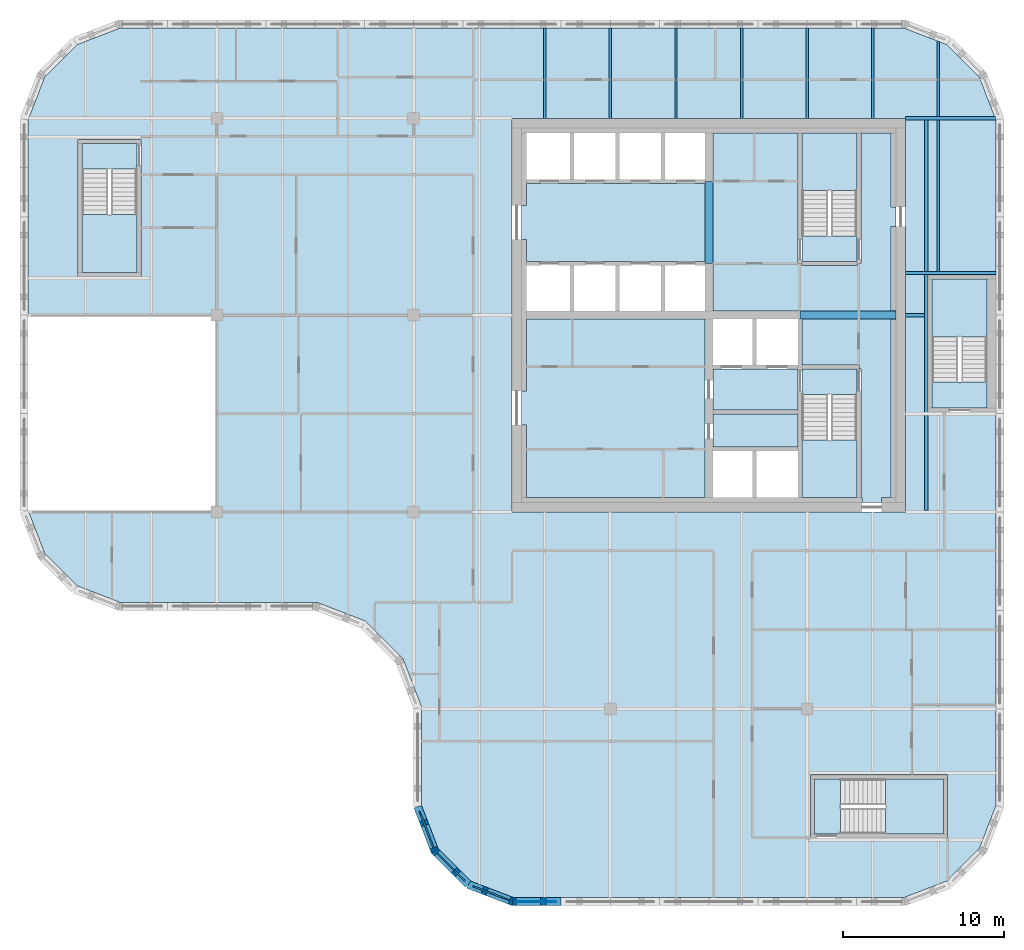
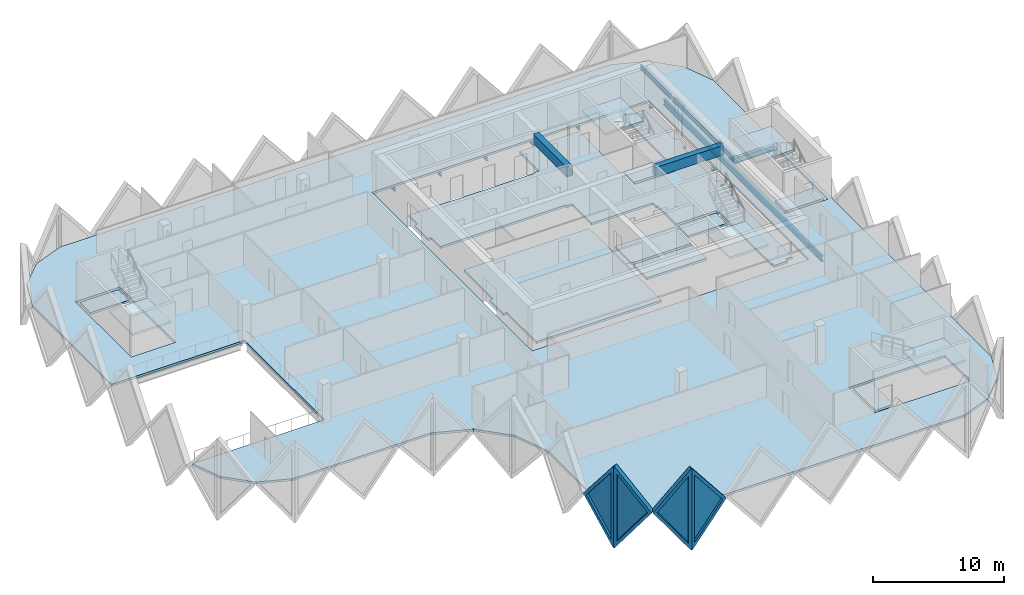
# One storey, part 2 of 12: 15 slabs, 14 beams, 4 plates, 4 walls, 4 openings, 5 elements without a shape of their own.
"""IFC4 building model written with IfcOpenShell, lengths in metres."""

from ifc_helpers import new_model, si_unit, direction, frame, origin, origin_2d, place, context, subcontext, project, spatial, polyline, rectangle, i_section, outline, extrude, faceted_brep, source, transform, mapped, material, layer, layer_set, material_profile, profile_set, type_object, element, fill, aggregate, save


model = new_model("IFC4")

# Units and contexts
model_context = context("Model", 3, precision=1e-05, world=origin(), true_north=direction((0.0, 1.0)))
body_context = subcontext(model_context, "Body", "Model", "MODEL_VIEW")
ifc_project = project(units=[si_unit("LENGTHUNIT", "METRE"), si_unit("AREAUNIT", "SQUARE_METRE"), si_unit("VOLUMEUNIT", "CUBIC_METRE"), si_unit("PLANEANGLEUNIT", "RADIAN"), si_unit("MASSUNIT", "GRAM", prefix="KILO")], contexts=[model_context])

# Site, building, storey
site_placement = place(None, origin())
site = spatial("IfcSite", under=ifc_project, at=site_placement, CompositionType="ELEMENT")
building_placement = place(site_placement, origin())
building = spatial("IfcBuilding", under=site, at=building_placement, Name="Tessera Gate Towers", CompositionType="ELEMENT")
storey_placement = place(building_placement, frame((0.0, 0.0, 185.800048828125)))
storey = spatial("IfcBuildingStorey", under=building, at=storey_placement, Name="L46", CompositionType="ELEMENT", Elevation=185.800048828125)

# Beams
ifc_material_1 = material(Name="Concrete C50/60", Category="concrete")
ifc_material_profile_1 = material_profile(ifc_material_1, rectangle(XDim=0.5, YDim=0.89990234375, at=origin_2d()), Name="RC 500x900")
ifc_profile_set_1 = profile_set([ifc_material_profile_1], Name="Concrete C50/60")
beam_type_1 = type_object("IfcBeamType", Name="COUPLING BEAM 500x900 C50/60", PredefinedType="BEAM", material=ifc_profile_set_1)
beam_1_placement = place(storey_placement, frame((48.35009765625, 36.60009765625, 3.14990234375), z_axis=(1.0, 0.0, 0.0), x_axis=(0.0, 1.0, 0.0)))
element("IfcBeam", 1, at=beam_1_placement, inside=storey, type_object=beam_type_1, Name="L46 coupling beam 1", PredefinedType="BEAM", context=body_context, shape_type="SweptSolid", body=[
    extrude(rectangle(XDim=0.5, YDim=0.89990234375, at=origin_2d()), origin(), (0.0, 0.0, 1.0), 5.949951171875),
])
beam_2_placement = place(storey_placement, frame((42.699951171875, 39.800048828125, 3.14990234375), z_axis=(0.0, 1.0, 0.0), x_axis=(-1.0, 0.0, 0.0)))
element("IfcBeam", 2, at=beam_2_placement, inside=storey, type_object=beam_type_1, Name="L46 coupling beam 2", PredefinedType="BEAM", context=body_context, shape_type="SweptSolid", body=[
    extrude(rectangle(XDim=0.5, YDim=0.89990234375, at=origin_2d()), origin(), (0.0, 0.0, 1.0), 5.099853515625),
])
ifc_material_2 = material(Name="Steel 350W", Category="steel")
ifc_material_profile_2 = material_profile(ifc_material_2, i_section(OverallWidth=0.208984375, OverallDepth=0.532958984375, WebThickness=0.01025390625, FlangeThickness=0.015625, at=origin_2d()), Name="W530x92")
ifc_profile_set_2 = profile_set([ifc_material_profile_2], Name="Steel 350W")
beam_type_2 = type_object("IfcBeamType", Name="FLOOR GIRDER W530x92", PredefinedType="BEAM", material=ifc_profile_set_2)
beam_3_placement = place(storey_placement, frame((54.89892578125, 36.60009765625, -0.466552734375), z_axis=(1.0, 0.0, 0.0), x_axis=(0.0, 1.0, 0.0)))
element("IfcBeam", 3, at=beam_3_placement, inside=storey, type_object=beam_type_2, Name="T1-GD-L46-4970", PredefinedType="BEAM", context=body_context, shape_type="SweptSolid", body=[
    extrude(i_section(OverallWidth=0.208984375, OverallDepth=0.532958984375, WebThickness=0.01025390625, FlangeThickness=0.015625, at=origin_2d()), origin(), (0.0, 0.0, 1.0), 1.176513671875),
])
beam_4_placement = place(storey_placement, frame((54.90087890625, 48.800048828125, -0.466552734375), z_axis=(1.0, 0.0, 0.0), x_axis=(0.0, 1.0, 0.0)))
element("IfcBeam", 4, at=beam_4_placement, inside=storey, type_object=beam_type_2, Name="T1-GD-L46-4974", PredefinedType="BEAM", context=body_context, shape_type="SweptSolid", body=[
    extrude(i_section(OverallWidth=0.208984375, OverallDepth=0.532958984375, WebThickness=0.01025390625, FlangeThickness=0.015625, at=origin_2d()), origin(), (0.0, 0.0, 1.0), 5.564208984375),
])
beam_5_placement = place(storey_placement, frame((54.89892578125, 39.219970703125, -0.466552734375), z_axis=(1.0, 0.0, 0.0), x_axis=(0.0, 1.0, 0.0)))
element("IfcBeam", 5, at=beam_5_placement, inside=storey, type_object=beam_type_2, Name="T1-GD-L46-4992", PredefinedType="BEAM", context=body_context, shape_type="SweptSolid", body=[
    extrude(i_section(OverallWidth=0.208984375, OverallDepth=0.532958984375, WebThickness=0.01025390625, FlangeThickness=0.015625, at=origin_2d()), origin(), (0.0, 0.0, 1.0), 5.60205078125),
])
beam_6_placement = place(storey_placement, frame((56.179931640625, 24.50439453125, -0.466552734375), z_axis=(0.0, 1.0, 0.0), x_axis=(-1.0, 0.0, 0.0)))
element("IfcBeam", 6, at=beam_6_placement, inside=storey, type_object=beam_type_2, Name="T1-GD-L46-4993", PredefinedType="BEAM", context=body_context, shape_type="SweptSolid", body=[
    extrude(i_section(OverallWidth=0.208984375, OverallDepth=0.532958984375, WebThickness=0.01025390625, FlangeThickness=0.015625, at=origin_2d()), origin(), (0.0, 0.0, 1.0), 24.191162109375),
])
ifc_material_3 = material(Name="Steel 350W", Category="steel")
ifc_material_profile_3 = material_profile(ifc_material_3, i_section(OverallWidth=0.153076171875, OverallDepth=0.455078125, WebThickness=0.008056640625, FlangeThickness=0.01318359375, at=origin_2d()), Name="W460x60")
ifc_profile_set_3 = profile_set([ifc_material_profile_3], Name="Steel 350W")
beam_type_3 = type_object("IfcBeamType", Name="FLOOR SECONDARY W460x60", PredefinedType="BEAM", material=ifc_profile_set_3)
for number, where, z_axis, x_axis, name in (
    (7, (32.533203125, 48.800048828125, -0.427490234375), (0.0, 1.0, 0.0), (-1.0, 0.0, 0.0), "T1-BM-L46-5015"),
    (8, (36.60009765625, 48.800048828125, -0.427490234375), (0.0, 1.0, 0.0), (-1.0, 0.0, 0.0), "T1-BM-L46-5016"),
    (9, (40.666748046875, 48.800048828125, -0.427490234375), (0.0, 1.0, 0.0), (-1.0, 0.0, 0.0), "T1-BM-L46-5019"),
    (10, (44.7333984375, 48.800048828125, -0.427490234375), (0.0, 1.0, 0.0), (-1.0, 0.0, 0.0), "T1-BM-L46-5022"),
    (11, (48.800048828125, 48.800048828125, -0.427490234375), (0.0, 1.0, 0.0), (-1.0, 0.0, 0.0), "T1-BM-L46-5023"),
    (12, (52.86669921875, 48.800048828125, -0.427490234375), (0.0, 1.0, 0.0), (-1.0, 0.0, 0.0), "T1-BM-L46-5027"),
):
    element("IfcBeam", number, at=place(storey_placement, frame(where, z_axis=z_axis, x_axis=x_axis)), inside=storey, type_object=beam_type_3, Name=name, PredefinedType="BEAM", context=body_context, shape_type="SweptSolid", body=[
        extrude(i_section(OverallWidth=0.153076171875, OverallDepth=0.455078125, WebThickness=0.008056640625, FlangeThickness=0.01318359375, at=origin_2d()), origin(), (0.0, 0.0, 1.0), 5.599853515625),
    ])
beam_7_placement = place(storey_placement, frame((56.933349609375, 39.324462890625, -0.427490234375), z_axis=(0.0, 1.0, 0.0), x_axis=(-1.0, 0.0, 0.0)))
element("IfcBeam", 13, at=beam_7_placement, inside=storey, type_object=beam_type_3, Name="T1-BM-L46-5032", PredefinedType="BEAM", context=body_context, shape_type="SweptSolid", body=[
    extrude(i_section(OverallWidth=0.153076171875, OverallDepth=0.455078125, WebThickness=0.008056640625, FlangeThickness=0.01318359375, at=origin_2d()), origin(), (0.0, 0.0, 1.0), 9.37109375),
])
beam_8_placement = place(storey_placement, frame((56.933349609375, 48.904541015625, -0.427490234375), z_axis=(0.0, 1.0, 0.0), x_axis=(-1.0, 0.0, 0.0)))
element("IfcBeam", 14, at=beam_8_placement, inside=storey, type_object=beam_type_3, Name="T1-BM-L46-5033", PredefinedType="BEAM", context=body_context, shape_type="SweptSolid", body=[
    extrude(i_section(OverallWidth=0.153076171875, OverallDepth=0.455078125, WebThickness=0.008056640625, FlangeThickness=0.01318359375, at=origin_2d()), origin(), (0.0, 0.0, 1.0), 4.675048828125),
])

# Slabs
ifc_material_4 = material(Name="Concrete C35/45", Category="concrete")
ifc_layer_1 = layer(ifc_material_4, 0.199951171875)
ifc_layer_set_1 = layer_set([ifc_layer_1], Name="COMPOSITE FLOOR 200")
slab_type_1 = type_object("IfcSlabType", Name="COMPOSITE FLOOR 200", PredefinedType="FLOOR", material=ifc_layer_set_1)
slab_1_placement = place(storey_placement, frame((0.0, 0.0, -0.199951171875)))
element("IfcSlab", 15, at=slab_1_placement, inside=storey, type_object=slab_type_1, Name="T1-L46", PredefinedType="FLOOR", context=body_context, shape_type="SweptSolid", body=[
    extrude(outline(polyline([(0.5, 36.60009765625), (12.199951171875, 36.60009765625), (12.199951171875, 24.39990234375), (0.535888671875, 24.39990234375), (1.526123046875, 21.8330078125), (3.533203125, 19.826171875), (6.193115234375, 18.800048828125), (18.39306640625, 18.800048828125), (21.42431640625, 17.630615234375), (23.730712890625, 15.32421875), (24.89990234375, 12.293212890625), (24.89990234375, 6.193115234375), (25.926025390625, 3.533203125), (27.93310546875, 1.526123046875), (30.593017578125, 0.5), (54.806884765625, 0.5), (57.466796875, 1.526123046875), (59.473876953125, 3.533203125), (60.5, 6.193115234375), (60.5, 48.706787109375), (59.473876953125, 51.366943359375), (57.466796875, 53.373779296875), (54.806884765625, 54.39990234375), (6.193115234375, 54.39990234375), (3.533203125, 53.373779296875), (1.526123046875, 51.366943359375), (0.5, 48.706787109375), (0.5, 36.60009765625)]), holes=[polyline([(3.60009765625, 39.0), (3.60009765625, 47.5), (7.5, 47.5), (7.5, 39.0), (3.60009765625, 39.0)]), polyline([(30.5, 24.39990234375), (30.5, 48.800048828125), (54.89990234375, 48.800048828125), (54.89990234375, 24.39990234375), (30.5, 24.39990234375)]), polyline([(49.0, 4.199951171875), (49.0, 8.10009765625), (57.5, 8.10009765625), (57.5, 4.199951171875), (49.0, 4.199951171875)]), polyline([(56.300048828125, 30.60009765625), (56.300048828125, 39.10009765625), (60.199951171875, 39.10009765625), (60.199951171875, 30.60009765625), (56.300048828125, 30.60009765625)])]), origin(), (0.0, 0.0, 1.0), 0.199951171875),
])
ifc_material_5 = material(Name="Concrete C35/45", Category="concrete")
ifc_layer_2 = layer(ifc_material_5, 0.199951171875)
ifc_layer_set_2 = layer_set([ifc_layer_2], Name="CORE FLOOR SLAB 200")
slab_type_2 = type_object("IfcSlabType", Name="CORE FLOOR SLAB 200", PredefinedType="FLOOR", material=ifc_layer_set_2)
slab_2_placement = place(storey_placement, frame((0.0, 0.0, -0.199951171875)))
element("IfcSlab", 16, at=slab_2_placement, inside=storey, type_object=slab_type_2, Name="L46 core floor slab", PredefinedType="FLOOR", context=body_context, shape_type="SweptSolid", body=[
    extrude(outline(polyline([(42.449951171875, 44.89990234375), (42.449951171875, 44.77490234375), (31.39990234375, 44.77490234375), (31.39990234375, 43.39990234375), (31.10009765625, 43.39990234375), (31.10009765625, 41.300048828125), (31.39990234375, 41.300048828125), (31.39990234375, 39.925048828125), (42.449951171875, 39.925048828125), (42.449951171875, 39.800048828125), (42.949951171875, 39.800048828125), (42.949951171875, 36.85009765625), (48.35009765625, 36.85009765625), (48.35009765625, 36.35009765625), (48.47509765625, 36.35009765625), (48.47509765625, 33.52490234375), (52.0, 33.52490234375), (52.0, 33.27490234375), (52.125, 33.27490234375), (52.125, 25.300048828125), (52.199951171875, 25.300048828125), (52.199951171875, 25.0), (53.39990234375, 25.0), (53.39990234375, 25.300048828125), (54.0, 25.300048828125), (54.0, 36.320068359375), (54.300048828125, 36.320068359375), (54.300048828125, 36.8798828125), (54.0, 36.8798828125), (54.0, 42.10009765625), (54.300048828125, 42.10009765625), (54.300048828125, 43.300048828125), (54.0, 43.300048828125), (54.0, 47.89990234375), (52.125, 47.89990234375), (52.125, 39.800048828125), (51.875, 39.800048828125), (51.875, 39.675048828125), (48.47509765625, 39.675048828125), (48.47509765625, 39.800048828125), (48.22509765625, 39.800048828125), (48.22509765625, 47.89990234375), (42.949951171875, 47.89990234375), (42.949951171875, 44.89990234375), (42.449951171875, 44.89990234375)])), origin(), (0.0, 0.0, 1.0), 0.199951171875),
])
slab_3_placement = place(storey_placement, frame((0.0, 0.0, -0.199951171875)))
element("IfcSlab", 17, at=slab_3_placement, inside=storey, type_object=slab_type_2, Name="L46 core floor slab", PredefinedType="FLOOR", context=body_context, shape_type="SweptSolid", body=[
    extrude(outline(polyline([(31.39990234375, 36.35009765625), (31.39990234375, 31.89990234375), (31.10009765625, 31.89990234375), (31.10009765625, 29.800048828125), (31.39990234375, 29.800048828125), (31.39990234375, 25.300048828125), (42.449951171875, 25.300048828125), (42.449951171875, 36.35009765625), (31.39990234375, 36.35009765625)])), origin(), (0.0, 0.0, 1.0), 0.199951171875),
])
slab_4_placement = place(storey_placement, frame((0.0, 0.0, -0.199951171875)))
element("IfcSlab", 18, at=slab_4_placement, inside=storey, type_object=slab_type_2, Name="L46 core floor slab", PredefinedType="FLOOR", context=body_context, shape_type="SweptSolid", body=[
    extrude(outline(polyline([(42.949951171875, 33.27490234375), (42.949951171875, 30.72509765625), (48.22509765625, 30.72509765625), (48.22509765625, 33.27490234375), (42.949951171875, 33.27490234375)])), origin(), (0.0, 0.0, 1.0), 0.199951171875),
])
slab_5_placement = place(storey_placement, frame((0.0, 0.0, -0.199951171875)))
element("IfcSlab", 19, at=slab_5_placement, inside=storey, type_object=slab_type_2, Name="L46 core floor slab", PredefinedType="FLOOR", context=body_context, shape_type="SweptSolid", body=[
    extrude(outline(polyline([(48.22509765625, 30.47509765625), (42.949951171875, 30.47509765625), (42.949951171875, 28.425048828125), (48.22509765625, 28.425048828125), (48.22509765625, 30.47509765625)])), origin(), (0.0, 0.0, 1.0), 0.199951171875),
])
slab_6_placement = place(storey_placement, frame((0.0, 0.0, -0.199951171875)))
element("IfcSlab", 20, at=slab_6_placement, inside=storey, type_object=slab_type_2, Name="L46 core floor slab", PredefinedType="FLOOR", context=body_context, shape_type="SweptSolid", body=[
    extrude(outline(polyline([(51.875, 31.675048828125), (51.875, 33.27490234375), (48.47509765625, 33.27490234375), (48.47509765625, 31.675048828125), (51.875, 31.675048828125)])), origin(), (0.0, 0.0, 1.0), 0.199951171875),
])
slab_7_placement = place(storey_placement, frame((0.0, 0.0, -0.199951171875)))
element("IfcSlab", 21, at=slab_7_placement, inside=storey, type_object=slab_type_2, Name="L46 core floor slab", PredefinedType="FLOOR", context=body_context, shape_type="SweptSolid", body=[
    extrude(outline(polyline([(48.47509765625, 41.52490234375), (48.47509765625, 39.925048828125), (51.875, 39.925048828125), (51.875, 41.52490234375), (48.47509765625, 41.52490234375)])), origin(), (0.0, 0.0, 1.0), 0.199951171875),
])
slab_8_placement = place(storey_placement, frame((0.0, 0.0, -0.199951171875)))
element("IfcSlab", 22, at=slab_8_placement, inside=storey, type_object=slab_type_2, Name="L46 ST3 floor landing", PredefinedType="FLOOR", context=body_context, shape_type="SweptSolid", body=[
    extrude(outline(polyline([(3.85009765625, 47.25), (3.85009765625, 45.64990234375), (7.25, 45.64990234375), (7.25, 47.25), (3.85009765625, 47.25)])), origin(), (0.0, 0.0, 1.0), 0.199951171875),
])
slab_9_placement = place(storey_placement, frame((0.0, 0.0, -0.199951171875)))
element("IfcSlab", 23, at=slab_9_placement, inside=storey, type_object=slab_type_2, Name="L46 ST4 floor landing", PredefinedType="FLOOR", context=body_context, shape_type="SweptSolid", body=[
    extrude(outline(polyline([(49.25, 4.449951171875), (50.85009765625, 4.449951171875), (50.85009765625, 7.85009765625), (49.25, 7.85009765625), (49.25, 4.449951171875)])), origin(), (0.0, 0.0, 1.0), 0.199951171875),
])
slab_10_placement = place(storey_placement, frame((0.0, 0.0, -0.199951171875)))
element("IfcSlab", 24, at=slab_10_placement, inside=storey, type_object=slab_type_2, Name="L46 ST5 floor landing", PredefinedType="FLOOR", context=body_context, shape_type="SweptSolid", body=[
    extrude(outline(polyline([(59.949951171875, 30.85009765625), (59.949951171875, 32.449951171875), (56.550048828125, 32.449951171875), (56.550048828125, 30.85009765625), (59.949951171875, 30.85009765625)])), origin(), (0.0, 0.0, 1.0), 0.199951171875),
])

# Stair, slab
ifc_material_6 = material(Name="Concrete C40/50", Category="concrete")
stair_type_1 = type_object("IfcStairType", Name="EXIT STAIR ST1 1600", PredefinedType="HALF_TURN_STAIR", material=ifc_material_6)
stair_1_placement = place(storey_placement, origin())
stair_1 = element("IfcStair", 25, at=stair_1_placement, inside=storey, type_object=stair_type_1, Name="L46 Protected Exit Stair ST1", PredefinedType="HALF_TURN_STAIR")
ifc_material_7 = material(Name="Concrete C40/50", Category="concrete")
ifc_layer_3 = layer(ifc_material_7, 0.199951171875)
ifc_layer_set_3 = layer_set([ifc_layer_3], Name="EXIT STAIR LANDING 200")
slab_type_3 = type_object("IfcSlabType", Name="EXIT STAIR LANDING 200", PredefinedType="LANDING", material=ifc_layer_set_3)
slab_11_placement = place(storey_placement, frame((0.0, 0.0, 1.699951171875)))
slab_11 = element("IfcSlab", 26, at=slab_11_placement, type_object=slab_type_3, Name="ST1 landing 1", PredefinedType="LANDING", context=body_context, shape_type="SweptSolid", body=[
    extrude(outline(polyline([(48.47509765625, 28.875), (48.47509765625, 25.300048828125), (51.875, 25.300048828125), (51.875, 28.875), (48.47509765625, 28.875)])), origin(), (0.0, 0.0, 1.0), 0.199951171875),
])
aggregate(stair_1, [slab_11])

ifc_material_8 = material(Name="Concrete C40/50", Category="concrete")
stair_type_2 = type_object("IfcStairType", Name="EXIT STAIR ST2 1600", PredefinedType="HALF_TURN_STAIR", material=ifc_material_8)
stair_2_placement = place(storey_placement, origin())
stair_2 = element("IfcStair", 27, at=stair_2_placement, inside=storey, type_object=stair_type_2, Name="L46 Protected Exit Stair ST2", PredefinedType="HALF_TURN_STAIR")
slab_12_placement = place(storey_placement, frame((0.0, 0.0, 1.699951171875)))
slab_12 = element("IfcSlab", 28, at=slab_12_placement, type_object=slab_type_3, Name="ST2 landing 1", PredefinedType="LANDING", context=body_context, shape_type="SweptSolid", body=[
    extrude(outline(polyline([(51.875, 44.324951171875), (51.875, 47.89990234375), (48.47509765625, 47.89990234375), (48.47509765625, 44.324951171875), (51.875, 44.324951171875)])), origin(), (0.0, 0.0, 1.0), 0.199951171875),
])
aggregate(stair_2, [slab_12])

ifc_material_9 = material(Name="Concrete C40/50", Category="concrete")
stair_type_3 = type_object("IfcStairType", Name="EXIT STAIR ST3 1600", PredefinedType="HALF_TURN_STAIR", material=ifc_material_9)
stair_3_placement = place(storey_placement, origin())
stair_3 = element("IfcStair", 29, at=stair_3_placement, inside=storey, type_object=stair_type_3, Name="L46 West Exit Stair ST3", PredefinedType="HALF_TURN_STAIR")
slab_13_placement = place(storey_placement, frame((0.0, 0.0, 1.699951171875)))
slab_13 = element("IfcSlab", 30, at=slab_13_placement, type_object=slab_type_3, Name="ST3 landing 1", PredefinedType="LANDING", context=body_context, shape_type="SweptSolid", body=[
    extrude(outline(polyline([(3.85009765625, 42.85009765625), (3.85009765625, 39.25), (7.25, 39.25), (7.25, 42.85009765625), (3.85009765625, 42.85009765625)])), origin(), (0.0, 0.0, 1.0), 0.199951171875),
])
aggregate(stair_3, [slab_13])

ifc_material_10 = material(Name="Concrete C40/50", Category="concrete")
stair_type_4 = type_object("IfcStairType", Name="EXIT STAIR ST4 1600", PredefinedType="HALF_TURN_STAIR", material=ifc_material_10)
stair_4_placement = place(storey_placement, origin())
stair_4 = element("IfcStair", 31, at=stair_4_placement, inside=storey, type_object=stair_type_4, Name="L46 South Exit Stair ST4", PredefinedType="HALF_TURN_STAIR")
slab_14_placement = place(storey_placement, frame((0.0, 0.0, 1.699951171875)))
slab_14 = element("IfcSlab", 32, at=slab_14_placement, type_object=slab_type_3, Name="ST4 landing 1", PredefinedType="LANDING", context=body_context, shape_type="SweptSolid", body=[
    extrude(outline(polyline([(53.64990234375, 4.449951171875), (57.25, 4.449951171875), (57.25, 7.85009765625), (53.64990234375, 7.85009765625), (53.64990234375, 4.449951171875)])), origin(), (0.0, 0.0, 1.0), 0.199951171875),
])
aggregate(stair_4, [slab_14])

ifc_material_11 = material(Name="Concrete C40/50", Category="concrete")
stair_type_5 = type_object("IfcStairType", Name="EXIT STAIR ST5 1600", PredefinedType="HALF_TURN_STAIR", material=ifc_material_11)
stair_5_placement = place(storey_placement, origin())
stair_5 = element("IfcStair", 33, at=stair_5_placement, inside=storey, type_object=stair_type_5, Name="L46 East Exit Stair ST5", PredefinedType="HALF_TURN_STAIR")
slab_15_placement = place(storey_placement, frame((0.0, 0.0, 1.699951171875)))
slab_15 = element("IfcSlab", 34, at=slab_15_placement, type_object=slab_type_3, Name="ST5 landing 1", PredefinedType="LANDING", context=body_context, shape_type="SweptSolid", body=[
    extrude(outline(polyline([(59.949951171875, 35.25), (59.949951171875, 38.85009765625), (56.550048828125, 38.85009765625), (56.550048828125, 35.25), (59.949951171875, 35.25)])), origin(), (0.0, 0.0, 1.0), 0.199951171875),
])
aggregate(stair_5, [slab_15])

# Wall, opening, plate
ifc_material_12 = material(Name="Precast concrete C60/75 white", Category="concrete")
ifc_layer_4 = layer(ifc_material_12, 0.5)
ifc_layer_set_4 = layer_set([ifc_layer_4], Name="TS3 corner tessera")
wall_type = type_object("IfcWallType", Name="TS3 corner tessera", PredefinedType="SOLIDWALL", material=ifc_layer_set_4)
shared_shape_1 = source(origin(), body_context, "Body", "Brep", [
    faceted_brep([(2.950439453125, -0.25, 0.0), (3.00341796875, -0.25, 0.068359375), (3.00341796875, -0.25, 7.53173828125), (2.950439453125, -0.25, 7.60009765625), (0.0, -0.25, 3.800048828125), (0.046630859375, 0.25, 3.860107421875), (2.897705078125, 0.25, 7.531982421875), (2.897705078125, 0.25, 0.068115234375), (0.046630859375, 0.25, 3.739990234375), (2.950439453125, 0.00048828125, 0.0), (2.950439453125, 0.00048828125, 7.60009765625), (0.0, 0.0, 3.800048828125)], [[[0, 1, 2, 3, 4]], [[5, 6, 7, 8]], [[1, 0, 9]], [[10, 3, 2]], [[6, 5, 11, 4, 3, 10]], [[8, 7, 9, 0, 4, 11]], [[8, 11, 5]], [[1, 9, 7, 6, 10, 2]]]),
])
wall_1_placement = place(storey_placement, frame((24.64990234375, 6.146484375, -3.800048828125), z_axis=(0.0, 0.0, 1.0), x_axis=(0.359953949349, -0.932970071518, 0.0)))
wall_1 = element("IfcWall", 35, at=wall_1_placement, inside=storey, type_object=wall_type, Name="Precast corner tessera T1 TS3-1079", PredefinedType="SOLIDWALL", context=body_context, shape_type="MappedRepresentation", body=[
    mapped(shared_shape_1, transform((0.0, 0.0, 0.0), scale=1.0)),
])
shared_shape_2 = source(origin(), body_context, "Body", "SweptSolid", [
    extrude(outline(polyline([(2.75048828125, 6.934814453125), (0.31640625, 3.800048828125), (2.75048828125, 0.665283203125), (2.75048828125, 6.934814453125)])), frame((0.0, 0.260009765625, 0.0), z_axis=(0.0, -1.0, 0.0), x_axis=(1.0, 0.0, 0.0)), (0.0, 0.0, 1.0), 0.52001953125),
])
opening_1_placement = place(wall_1_placement, origin())
opening_1 = element("IfcOpeningElement", 36, at=opening_1_placement, cuts=wall_1, Name="Opening T1-PL2-1690", PredefinedType="OPENING", context=body_context, shape_type="MappedRepresentation", body=[
    mapped(shared_shape_2, transform((0.0, 0.0, 0.0), scale=1.0)),
])
ifc_material_13 = material(Name="Low-e laminated glass", Category="glass")
ifc_layer_5 = layer(ifc_material_13, 0.06005859375)
ifc_layer_set_5 = layer_set([ifc_layer_5], Name="PL2 rhombic pane")
plate_type = type_object("IfcPlateType", Name="PL2 rhombic pane", PredefinedType="SHEET", material=ifc_layer_set_5)
shared_shape_3 = source(origin(), body_context, "Body", "SweptSolid", [
    extrude(outline(polyline([(2.75048828125, 6.934814453125), (0.31640625, 3.800048828125), (2.75048828125, 0.665283203125), (2.75048828125, 6.934814453125)])), frame((0.0, 0.030029296875, 0.0), z_axis=(0.0, -1.0, 0.0), x_axis=(1.0, 0.0, 0.0)), (0.0, 0.0, 1.0), 0.06005859375),
])
plate_1_placement = place(opening_1_placement, origin())
plate_1 = element("IfcPlate", 37, at=plate_1_placement, inside=storey, type_object=plate_type, Name="Glass pane T1 PL2-1690", PredefinedType="SHEET", context=body_context, shape_type="MappedRepresentation", body=[
    mapped(shared_shape_3, transform((0.0, 0.0, 0.0), scale=1.0)),
])
fill(opening_1, plate_1)

shared_shape_4 = source(origin(), body_context, "Body", "Brep", [
    faceted_brep([(0.046630859375, -0.25, 0.0), (3.050048828125, -0.25, 3.800048828125), (0.046630859375, -0.25, 7.60009765625), (0.0, -0.25, 7.5400390625), (0.0, -0.25, 0.06005859375), (0.09326171875, 0.25, 7.541259765625), (3.050048828125, 0.25, 3.800048828125), (0.09326171875, 0.25, 0.058837890625), (0.046630859375, 0.0, 0.0), (0.046630859375, 0.0, 7.60009765625)], [[[0, 1, 2, 3, 4]], [[5, 6, 7]], [[7, 6, 1, 0, 8]], [[6, 5, 9, 2, 1]], [[3, 2, 9]], [[8, 0, 4]], [[7, 8, 4, 3, 9, 5]]]),
])
wall_2_placement = place(storey_placement, frame((30.5, 0.25, -3.800048828125), z_axis=(0.0, 0.0, 1.0), x_axis=(1.0, 0.0, 0.0)))
wall_2 = element("IfcWall", 38, at=wall_2_placement, inside=storey, type_object=wall_type, Name="Precast corner tessera T1 TS3-1057", PredefinedType="SOLIDWALL", context=body_context, shape_type="MappedRepresentation", body=[
    mapped(shared_shape_4, transform((0.0, 0.0, 0.0), scale=1.0)),
])
shared_shape_5 = source(origin(), body_context, "Body", "SweptSolid", [
    extrude(outline(polyline([(0.24658203125, 0.65625), (2.7314453125, 3.800048828125), (0.24658203125, 6.94384765625), (0.24658203125, 0.65625)])), frame((0.0, 0.260009765625, 0.0), z_axis=(0.0, -1.0, 0.0), x_axis=(1.0, 0.0, 0.0)), (0.0, 0.0, 1.0), 0.52001953125),
])
opening_2_placement = place(wall_2_placement, origin())
opening_2 = element("IfcOpeningElement", 39, at=opening_2_placement, cuts=wall_2, Name="Opening T1-PL2-1645", PredefinedType="OPENING", context=body_context, shape_type="MappedRepresentation", body=[
    mapped(shared_shape_5, transform((0.0, 0.0, 0.0), scale=1.0)),
])
shared_shape_6 = source(origin(), body_context, "Body", "SweptSolid", [
    extrude(outline(polyline([(0.24658203125, 0.65625), (2.7314453125, 3.800048828125), (0.24658203125, 6.94384765625), (0.24658203125, 0.65625)])), frame((0.0, 0.030029296875, 0.0), z_axis=(0.0, -1.0, 0.0), x_axis=(1.0, 0.0, 0.0)), (0.0, 0.0, 1.0), 0.06005859375),
])
plate_2_placement = place(opening_2_placement, origin())
plate_2 = element("IfcPlate", 40, at=plate_2_placement, inside=storey, type_object=plate_type, Name="Glass pane T1 PL2-1645", PredefinedType="SHEET", context=body_context, shape_type="MappedRepresentation", body=[
    mapped(shared_shape_6, transform((0.0, 0.0, 0.0), scale=1.0)),
])
fill(opening_2, plate_2)

shared_shape_7 = source(origin(), body_context, "Body", "Brep", [
    faceted_brep([(0.052978515625, -0.25, 0.0), (2.9970703125, -0.25, 3.800048828125), (0.052978515625, -0.25, 7.60009765625), (0.0, -0.25, 7.531982421875), (0.0, -0.25, 0.068115234375), (0.10595703125, 0.25, 7.53173828125), (2.944091796875, 0.25, 3.8681640625), (2.944091796875, 0.25, 3.73193359375), (0.10595703125, 0.25, 0.068359375), (2.9970703125, 0.000244140625, 3.800048828125), (0.052978515625, 0.0, 0.0), (0.052978515625, 0.0, 7.60009765625)], [[[0, 1, 2, 3, 4]], [[5, 6, 7, 8]], [[8, 7, 9, 1, 0, 10]], [[6, 5, 11, 2, 1, 9]], [[3, 2, 11]], [[10, 0, 4]], [[8, 10, 4, 3, 11, 5]], [[9, 7, 6]]]),
])
wall_3_placement = place(storey_placement, frame((25.674560546875, 3.43115234375, -3.800048828125), z_axis=(0.0, 0.0, 1.0), x_axis=(0.707106781187, -0.707106781187, 0.0)))
wall_3 = element("IfcWall", 41, at=wall_3_placement, inside=storey, type_object=wall_type, Name="Precast corner tessera T1 TS3-1080", PredefinedType="SOLIDWALL", context=body_context, shape_type="MappedRepresentation", body=[
    mapped(shared_shape_7, transform((0.0, 0.0, 0.0), scale=1.0)),
])
shared_shape_8 = source(origin(), body_context, "Body", "SweptSolid", [
    extrude(outline(polyline([(0.2529296875, 0.666259765625), (2.680908203125, 3.800048828125), (0.2529296875, 6.93359375), (0.2529296875, 0.666259765625)])), frame((0.0, 0.260009765625, 0.0), z_axis=(0.0, -1.0, 0.0), x_axis=(1.0, 0.0, 0.0)), (0.0, 0.0, 1.0), 0.52001953125),
])
opening_3_placement = place(wall_3_placement, origin())
opening_3 = element("IfcOpeningElement", 42, at=opening_3_placement, cuts=wall_3, Name="Opening T1-PL2-1691", PredefinedType="OPENING", context=body_context, shape_type="MappedRepresentation", body=[
    mapped(shared_shape_8, transform((0.0, 0.0, 0.0), scale=1.0)),
])
shared_shape_9 = source(origin(), body_context, "Body", "SweptSolid", [
    extrude(outline(polyline([(0.2529296875, 0.666259765625), (2.680908203125, 3.800048828125), (0.2529296875, 6.93359375), (0.2529296875, 0.666259765625)])), frame((0.0, 0.030029296875, 0.0), z_axis=(0.0, -1.0, 0.0), x_axis=(1.0, 0.0, 0.0)), (0.0, 0.0, 1.0), 0.06005859375),
])
plate_3_placement = place(opening_3_placement, origin())
plate_3 = element("IfcPlate", 43, at=plate_3_placement, inside=storey, type_object=plate_type, Name="Glass pane T1 PL2-1691", PredefinedType="SHEET", context=body_context, shape_type="MappedRepresentation", body=[
    mapped(shared_shape_9, transform((0.0, 0.0, 0.0), scale=1.0)),
])
fill(opening_3, plate_3)

shared_shape_10 = source(origin(), body_context, "Body", "Brep", [
    faceted_brep([(2.950439453125, -0.25, 0.0), (2.9970703125, -0.25, 0.05908203125), (2.9970703125, -0.25, 7.541015625), (2.950439453125, -0.25, 7.60009765625), (0.0, -0.25, 3.800048828125), (0.052978515625, 0.25, 3.8681640625), (2.904052734375, 0.25, 7.540283203125), (2.904052734375, 0.25, 0.059814453125), (0.052978515625, 0.25, 3.73193359375), (2.950439453125, 0.00048828125, 0.0), (2.950439453125, 0.00048828125, 7.60009765625), (0.0, 0.0, 3.800048828125)], [[[0, 1, 2, 3, 4]], [[5, 6, 7, 8]], [[1, 0, 9]], [[10, 3, 2]], [[6, 5, 11, 4, 3, 10]], [[8, 7, 9, 0, 4, 11]], [[8, 11, 5]], [[1, 9, 7, 6, 10, 2]]]),
])
wall_4_placement = place(storey_placement, frame((27.793701171875, 1.31201171875, -3.800048828125), z_axis=(0.0, 0.0, 1.0), x_axis=(0.932973525033, -0.359944998003, 0.0)))
wall_4 = element("IfcWall", 44, at=wall_4_placement, inside=storey, type_object=wall_type, Name="Precast corner tessera T1 TS3-1058", PredefinedType="SOLIDWALL", context=body_context, shape_type="MappedRepresentation", body=[
    mapped(shared_shape_10, transform((0.0, 0.0, 0.0), scale=1.0)),
])
opening_4_placement = place(wall_4_placement, origin())
opening_4 = element("IfcOpeningElement", 45, at=opening_4_placement, cuts=wall_4, Name="Opening T1-PL2-1646", PredefinedType="OPENING", context=body_context, shape_type="MappedRepresentation", body=[
    mapped(shared_shape_2, transform((0.0, 0.0, 0.0), scale=1.0)),
])
plate_4_placement = place(opening_4_placement, origin())
plate_4 = element("IfcPlate", 46, at=plate_4_placement, inside=storey, type_object=plate_type, Name="Glass pane T1 PL2-1646", PredefinedType="SHEET", context=body_context, shape_type="MappedRepresentation", body=[
    mapped(shared_shape_3, transform((0.0, 0.0, 0.0), scale=1.0)),
])
fill(opening_4, plate_4)

save(model, "model.ifc")
